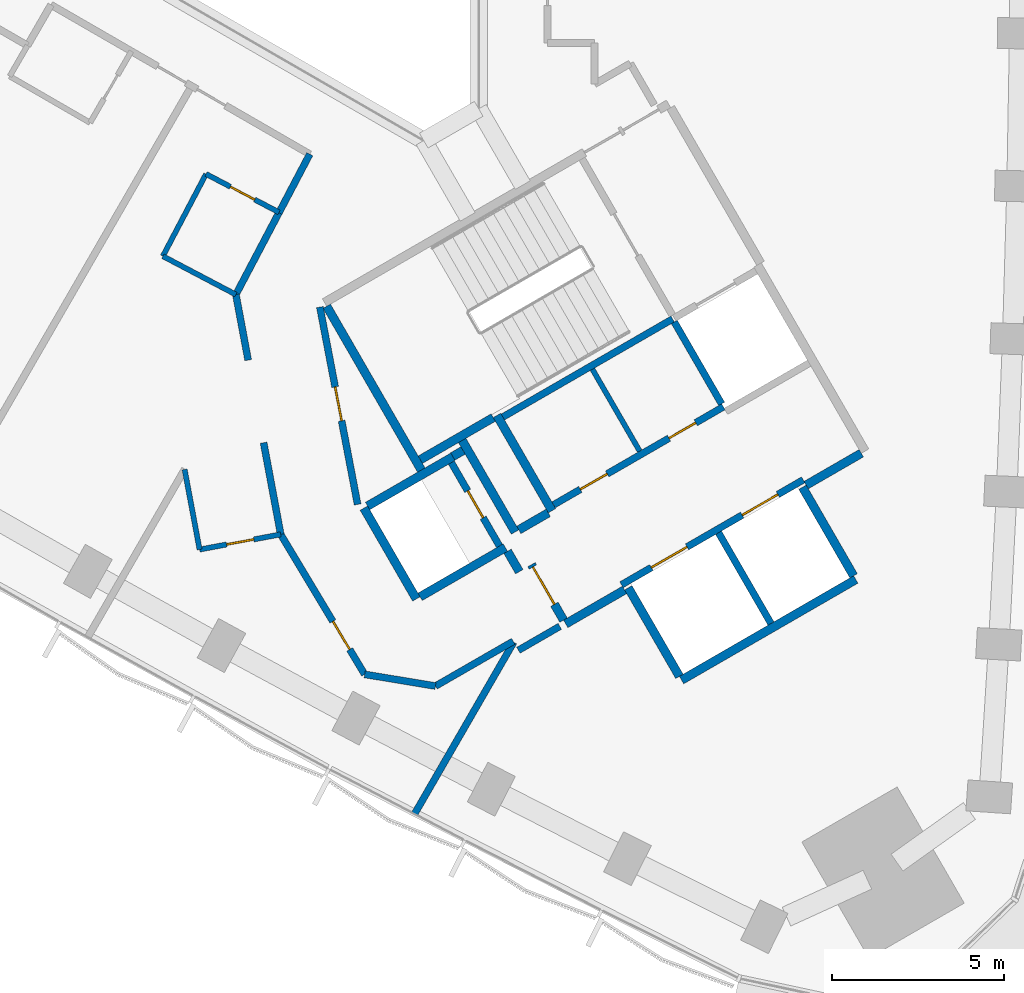
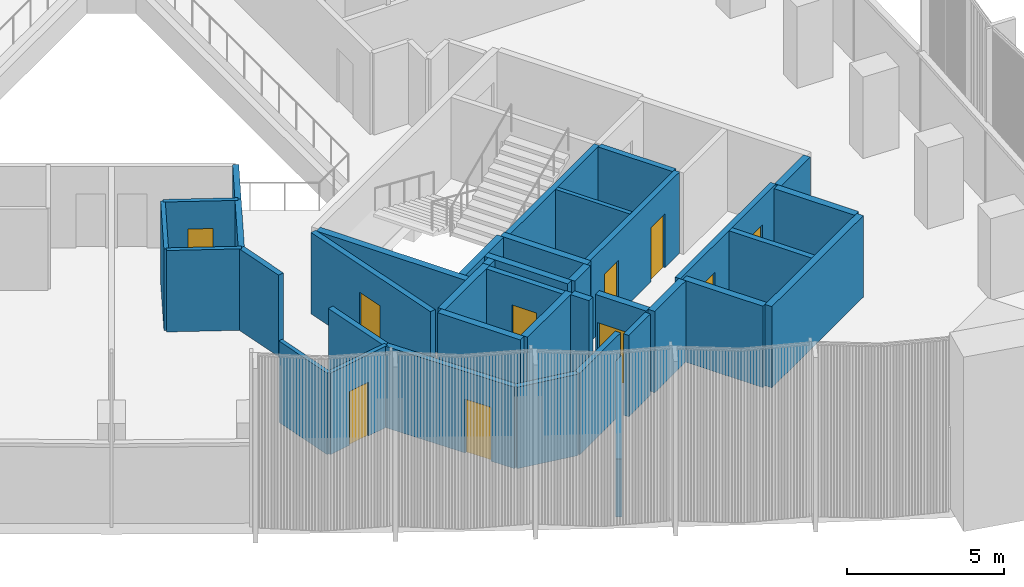
# One storey, part 8 of 15: 38 walls, 10 doors, 10 openings.
"""IFC4 building model written with IfcOpenShell, lengths in metres."""

from ifc_helpers import new_model, si_unit, direction, frame, frame_2d, origin, place, context, subcontext, project, spatial, rectangle, extrude, material, layer, layer_set, type_object, element, fill, save


model = new_model("IFC4")

# Units and contexts
model_context = context("Model", 3, precision=1e-05, world=origin(), true_north=direction((0.0, 1.0)))
body_context = subcontext(model_context, "Body", "Model", "MODEL_VIEW")
ifc_project = project(units=[si_unit("LENGTHUNIT", "METRE"), si_unit("AREAUNIT", "SQUARE_METRE"), si_unit("VOLUMEUNIT", "CUBIC_METRE"), si_unit("PLANEANGLEUNIT", "RADIAN"), si_unit("MASSUNIT", "GRAM", prefix="KILO")], contexts=[model_context])

# Site, building, storey
site_placement = place(None, origin())
site = spatial("IfcSite", under=ifc_project, at=site_placement, CompositionType="ELEMENT")
building_placement = place(site_placement, origin())
building = spatial("IfcBuilding", under=site, at=building_placement, Name="Tamra Quay Hotel Tower", CompositionType="ELEMENT")
storey_placement = place(building_placement, frame((0.0, 0.0, 111.800048828125)))
storey = spatial("IfcBuildingStorey", under=building, at=storey_placement, Name="L27", CompositionType="ELEMENT", Elevation=111.800048828125)

# Wall, openings, doors
ifc_material_1 = material(Name="Concrete M70", Category="concrete")
ifc_layer_1 = layer(ifc_material_1, 0.199951171875)
ifc_layer_set_1 = layer_set([ifc_layer_1], Name="Concrete M70 core wall 200")
wall_type_1 = type_object("IfcWallType", Name="Concrete M70 core wall 200", PredefinedType="SHEAR", material=ifc_layer_set_1)
wall_1_placement = place(storey_placement, frame((9.052490234375, -20.479736328125, 0.0), z_axis=(0.0, 0.0, 1.0), x_axis=(0.866030299012, 0.499991521122, 0.0)))
wall_1 = element("IfcWall", 1, at=wall_1_placement, inside=storey, type_object=wall_type_1, Name="CW2", PredefinedType="SHEAR", context=body_context, shape_type="SweptSolid", body=[
    extrude(rectangle(XDim=6.10009765625, YDim=0.199951171875, at=frame_2d((3.050048828125, 0.0))), origin(), (0.0, 0.0, 1.0), 3.175048828125),
])
opening_1_placement = place(wall_1_placement, frame((1.0, 0.0, 0.0)))
opening_1 = element("IfcOpeningElement", 2, at=opening_1_placement, cuts=wall_1, Name="Opening LD", PredefinedType="OPENING", context=body_context, shape_type="SweptSolid", body=[
    extrude(rectangle(XDim=1.199951171875, YDim=2.10009765625, at=frame_2d((0.60009765625, 1.050048828125))), frame((0.0, 0.10986328125, 0.0), z_axis=(0.0, -1.0, 0.0), x_axis=(1.0, 0.0, 0.0)), (0.0, 0.0, 1.0), 0.219970703125),
])
opening_2_placement = place(wall_1_placement, frame((4.05029296875, 0.0, 0.0)))
opening_2 = element("IfcOpeningElement", 3, at=opening_2_placement, cuts=wall_1, Name="Opening LD", PredefinedType="OPENING", context=body_context, shape_type="SweptSolid", body=[
    extrude(rectangle(XDim=1.199951171875, YDim=2.10009765625, at=frame_2d((0.60009765625, 1.050048828125))), frame((0.0, 0.10986328125, 0.0), z_axis=(0.0, -1.0, 0.0), x_axis=(1.0, 0.0, 0.0)), (0.0, 0.0, 1.0), 0.219970703125),
])
ifc_material_2 = material(Name="Landing door LD 1200 double door sliding")
door_type_1 = type_object("IfcDoorType", Name="Landing door LD 1200 double door sliding", OperationType="DOUBLE_DOOR_SLIDING", PredefinedType="DOOR", material=ifc_material_2)
door_1_placement = place(opening_1_placement, origin())
door_1 = element("IfcDoor", 4, at=door_1_placement, inside=storey, type_object=door_type_1, Name="LD", OperationType="DOUBLE_DOOR_SLIDING", OverallHeight=2.10009765625, OverallWidth=1.199951171875, PredefinedType="DOOR", context=body_context, shape_type="SweptSolid", body=[
    extrude(rectangle(XDim=1.199951171875, YDim=2.10009765625, at=frame_2d((0.60009765625, 1.050048828125))), frame((0.0, 0.02490234375, 0.0), z_axis=(0.0, -1.0, 0.0), x_axis=(1.0, 0.0, 0.0)), (0.0, 0.0, 1.0), 0.050048828125),
])
fill(opening_1, door_1)
door_2_placement = place(opening_2_placement, origin())
door_2 = element("IfcDoor", 5, at=door_2_placement, inside=storey, type_object=door_type_1, Name="LD", OperationType="DOUBLE_DOOR_SLIDING", OverallHeight=2.10009765625, OverallWidth=1.199951171875, PredefinedType="DOOR", context=body_context, shape_type="SweptSolid", body=[
    extrude(rectangle(XDim=1.199951171875, YDim=2.10009765625, at=frame_2d((0.60009765625, 1.050048828125))), frame((0.0, 0.02490234375, 0.0), z_axis=(0.0, -1.0, 0.0), x_axis=(1.0, 0.0, 0.0)), (0.0, 0.0, 1.0), 0.050048828125),
])
fill(opening_2, door_2)

# Wall
wall_2_placement = place(storey_placement, frame((10.537841796875, -12.751953125, 0.0), z_axis=(0.0, 0.0, 1.0), x_axis=(-0.866038630372, -0.499977090179, 0.0)))
element("IfcWall", 6, at=wall_2_placement, inside=storey, type_object=wall_type_1, Name="CW2", PredefinedType="SHEAR", context=body_context, shape_type="SweptSolid", body=[
    extrude(rectangle(XDim=5.698974609375, YDim=0.199951171875, at=frame_2d((2.849609375, 0.0))), origin(), (0.0, 0.0, 1.0), 3.175048828125),
])

# Wall, openings, doors
wall_3_placement = place(storey_placement, frame((7.0771484375, -18.156005859375, 0.0), z_axis=(0.0, 0.0, 1.0), x_axis=(0.866038630372, 0.499977090179, 0.0)))
wall_3 = element("IfcWall", 7, at=wall_3_placement, inside=storey, type_object=wall_type_1, Name="CW2", PredefinedType="SHEAR", context=body_context, shape_type="SweptSolid", body=[
    extrude(rectangle(XDim=5.698974609375, YDim=0.199951171875, at=frame_2d((2.849609375, 0.0))), origin(), (0.0, 0.0, 1.0), 3.175048828125),
])
opening_3_placement = place(wall_3_placement, frame((0.89892578125, 0.0, 0.0)))
opening_3 = element("IfcOpeningElement", 8, at=opening_3_placement, cuts=wall_3, Name="Opening D2", PredefinedType="OPENING", context=body_context, shape_type="SweptSolid", body=[
    extrude(rectangle(XDim=0.89990234375, YDim=2.10009765625, at=frame_2d((0.449951171875, 1.050048828125))), frame((0.0, 0.10986328125, 0.0), z_axis=(0.0, -1.0, 0.0), x_axis=(1.0, 0.0, 0.0)), (0.0, 0.0, 1.0), 0.219970703125),
])
opening_4_placement = place(wall_3_placement, frame((3.8740234375, 0.0, 0.0)))
opening_4 = element("IfcOpeningElement", 9, at=opening_4_placement, cuts=wall_3, Name="Opening D2", PredefinedType="OPENING", context=body_context, shape_type="SweptSolid", body=[
    extrude(rectangle(XDim=0.89990234375, YDim=2.10009765625, at=frame_2d((0.449951171875, 1.050048828125))), frame((0.0, 0.10986328125, 0.0), z_axis=(0.0, -1.0, 0.0), x_axis=(1.0, 0.0, 0.0)), (0.0, 0.0, 1.0), 0.219970703125),
])
ifc_material_3 = material(Name="Core door D2 900x2100 LH")
door_type_2 = type_object("IfcDoorType", Name="Core door D2 900x2100 LH", OperationType="NOTDEFINED", PredefinedType="DOOR", material=ifc_material_3)
door_3_placement = place(opening_4_placement, origin())
door_3 = element("IfcDoor", 10, at=door_3_placement, inside=storey, type_object=door_type_2, Name="D2", OperationType="SINGLE_SWING_LEFT", OverallHeight=2.10009765625, OverallWidth=0.89990234375, PredefinedType="DOOR", context=body_context, shape_type="SweptSolid", body=[
    extrude(rectangle(XDim=0.89990234375, YDim=2.10009765625, at=frame_2d((0.449951171875, 1.050048828125))), frame((0.0, 0.02490234375, 0.0), z_axis=(0.0, -1.0, 0.0), x_axis=(1.0, 0.0, 0.0)), (0.0, 0.0, 1.0), 0.050048828125),
])
fill(opening_4, door_3)
ifc_material_4 = material(Name="Core door D2 900x2100 RH")
door_type_3 = type_object("IfcDoorType", Name="Core door D2 900x2100 RH", OperationType="NOTDEFINED", PredefinedType="DOOR", material=ifc_material_4)
door_4_placement = place(opening_3_placement, origin())
door_4 = element("IfcDoor", 11, at=door_4_placement, inside=storey, type_object=door_type_3, Name="D2", OperationType="SINGLE_SWING_RIGHT", OverallHeight=2.10009765625, OverallWidth=0.89990234375, PredefinedType="DOOR", context=body_context, shape_type="SweptSolid", body=[
    extrude(rectangle(XDim=0.89990234375, YDim=2.10009765625, at=frame_2d((0.449951171875, 1.050048828125))), frame((0.0, 0.02490234375, 0.0), z_axis=(0.0, -1.0, 0.0), x_axis=(1.0, 0.0, 0.0)), (0.0, 0.0, 1.0), 0.050048828125),
])
fill(opening_3, door_4)

# Wall
wall_4_placement = place(storey_placement, frame((11.87451171875, -18.967041015625, 0.0), z_axis=(0.0, 0.0, 1.0), x_axis=(0.49998131003, -0.866036194175, 0.0)))
element("IfcWall", 12, at=wall_4_placement, inside=storey, type_object=wall_type_1, Name="CW2", PredefinedType="SHEAR", context=body_context, shape_type="SweptSolid", body=[
    extrude(rectangle(XDim=3.0478515625, YDim=0.199951171875, at=frame_2d((1.52392578125, 0.0))), origin(), (0.0, 0.0, 1.0), 3.175048828125),
])

# Wall, opening, door
wall_5_placement = place(storey_placement, frame((5.50341796875, -19.352294921875, 0.0), z_axis=(0.0, 0.0, 1.0), x_axis=(-0.499986818241, 0.866033014143, 0.0)))
wall_5 = element("IfcWall", 13, at=wall_5_placement, inside=storey, type_object=wall_type_1, Name="CW2", PredefinedType="SHEAR", context=body_context, shape_type="SweptSolid", body=[
    extrude(rectangle(XDim=2.7978515625, YDim=0.199951171875, at=frame_2d((1.39892578125, 0.0))), origin(), (0.0, 0.0, 1.0), 3.175048828125),
])
opening_5_placement = place(wall_5_placement, frame((0.948974609375, 0.0, 0.0)))
opening_5 = element("IfcOpeningElement", 14, at=opening_5_placement, cuts=wall_5, Name="Opening D1", PredefinedType="OPENING", context=body_context, shape_type="SweptSolid", body=[
    extrude(rectangle(XDim=0.89990234375, YDim=2.10009765625, at=frame_2d((0.449951171875, 1.050048828125))), frame((0.0, 0.10986328125, 0.0), z_axis=(0.0, -1.0, 0.0), x_axis=(1.0, 0.0, 0.0)), (0.0, 0.0, 1.0), 0.219970703125),
])
ifc_material_5 = material(Name="Core door D1 900x2100 RH")
door_type_4 = type_object("IfcDoorType", Name="Core door D1 900x2100 RH", OperationType="NOTDEFINED", PredefinedType="DOOR", material=ifc_material_5)
door_5_placement = place(opening_5_placement, origin())
door_5 = element("IfcDoor", 15, at=door_5_placement, inside=storey, type_object=door_type_4, Name="D1", OperationType="SINGLE_SWING_RIGHT", OverallHeight=2.10009765625, OverallWidth=0.89990234375, PredefinedType="DOOR", context=body_context, shape_type="SweptSolid", body=[
    extrude(rectangle(XDim=0.89990234375, YDim=2.10009765625, at=frame_2d((0.449951171875, 1.050048828125))), frame((0.0, 0.02490234375, 0.0), z_axis=(0.0, -1.0, 0.0), x_axis=(1.0, 0.0, 0.0)), (0.0, 0.0, 1.0), 0.050048828125),
])
fill(opening_5, door_5)

# Walls
wall_6_placement = place(storey_placement, frame((11.962646484375, -15.219970703125, 0.0), z_axis=(0.0, 0.0, 1.0), x_axis=(-0.500034990121, 0.866005201286, 0.0)))
element("IfcWall", 16, at=wall_6_placement, inside=storey, type_object=wall_type_1, Name="CW2", PredefinedType="SHEAR", context=body_context, shape_type="SweptSolid", body=[
    extrude(rectangle(XDim=2.749755859375, YDim=0.199951171875, at=frame_2d((1.375, 0.0))), origin(), (0.0, 0.0, 1.0), 3.175048828125),
])
ifc_layer_2 = layer(ifc_material_1, 0.25)
ifc_layer_set_2 = layer_set([ifc_layer_2], Name="Concrete M70 core wall 250")
wall_type_2 = type_object("IfcWallType", Name="Concrete M70 core wall 250", PredefinedType="SHEAR", material=ifc_layer_set_2)
wall_7_placement = place(storey_placement, frame((15.86474609375, -20.328369140625, 0.0), z_axis=(0.0, 0.0, 1.0), x_axis=(-0.86602852612, -0.499994591916, 0.0)))
element("IfcWall", 17, at=wall_7_placement, inside=storey, type_object=wall_type_2, Name="CW1", PredefinedType="SHEAR", context=body_context, shape_type="SweptSolid", body=[
    extrude(rectangle(XDim=5.85009765625, YDim=0.25, at=frame_2d((2.925048828125, 0.0))), origin(), (0.0, 0.0, 1.0), 3.175048828125),
])
wall_8_placement = place(storey_placement, frame((3.23486328125, -17.15283203125, 0.0), z_axis=(0.0, 0.0, 1.0), x_axis=(-0.500008851346, 0.866020293397, 0.0)))
element("IfcWall", 18, at=wall_8_placement, inside=storey, type_object=wall_type_2, Name="CW1", PredefinedType="SHEAR", context=body_context, shape_type="SweptSolid", body=[
    extrude(rectangle(XDim=5.509765625, YDim=0.25, at=frame_2d((2.7548828125, 0.0))), origin(), (0.0, 0.0, 1.0), 3.175048828125),
])
wall_9_placement = place(storey_placement, frame((7.030517578125, -18.327392578125, 0.0), z_axis=(0.0, 0.0, 1.0), x_axis=(-0.499971222258, 0.866042017984, 0.0)))
element("IfcWall", 19, at=wall_9_placement, inside=storey, type_object=wall_type_2, Name="CW1", PredefinedType="SHEAR", context=body_context, shape_type="SweptSolid", body=[
    extrude(rectangle(XDim=3.199951171875, YDim=0.25, at=frame_2d((1.60009765625, 0.0))), origin(), (0.0, 0.0, 1.0), 3.175048828125),
])
for number, where, z_axis, x_axis, name in (
    (20, (14.314697265625, -17.643798828125, 0.0), (0.0, 0.0, 1.0), (0.500023226632, -0.866011993467, 0.0), "CW1"),
    (21, (10.73583984375, -23.144775390625, 0.0), (0.0, 0.0, 1.0), (-0.500023226632, 0.866011993467, 0.0), "CW1"),
):
    element("IfcWall", number, at=place(storey_placement, frame(where, z_axis=z_axis, x_axis=x_axis)), inside=storey, type_object=wall_type_2, Name=name, PredefinedType="SHEAR", context=body_context, shape_type="SweptSolid", body=[
        extrude(rectangle(XDim=2.974365234375, YDim=0.25, at=frame_2d((1.4873046875, 0.0))), origin(), (0.0, 0.0, 1.0), 3.175048828125),
    ])
wall_10_placement = place(storey_placement, frame((3.085205078125, -20.893798828125, 0.0), z_axis=(0.0, 0.0, 1.0), x_axis=(-0.499978833458, 0.866037623948, 0.0)))
element("IfcWall", 22, at=wall_10_placement, inside=storey, type_object=wall_type_2, Name="CW1", PredefinedType="SHEAR", context=body_context, shape_type="SweptSolid", body=[
    extrude(rectangle(XDim=3.050048828125, YDim=0.25, at=frame_2d((1.52490234375, 0.0))), origin(), (0.0, 0.0, 1.0), 3.175048828125),
])
wall_11_placement = place(storey_placement, frame((1.6689453125, -18.189697265625, 0.0), z_axis=(0.0, 0.0, 1.0), x_axis=(0.866042235819, 0.499970844928, 0.0)))
element("IfcWall", 23, at=wall_11_placement, inside=storey, type_object=wall_type_2, Name="CW1", PredefinedType="SHEAR", context=body_context, shape_type="SweptSolid", body=[
    extrude(rectangle(XDim=2.864501953125, YDim=0.25, at=frame_2d((1.43212890625, 0.0))), origin(), (0.0, 0.0, 1.0), 3.175048828125),
])
wall_12_placement = place(storey_placement, frame((5.6748046875, -19.39892578125, 0.0), z_axis=(0.0, 0.0, 1.0), x_axis=(-0.866026637627, -0.499997862916, 0.0)))
element("IfcWall", 24, at=wall_12_placement, inside=storey, type_object=wall_type_2, Name="CW1", PredefinedType="SHEAR", context=body_context, shape_type="SweptSolid", body=[
    extrude(rectangle(XDim=2.86474609375, YDim=0.25, at=frame_2d((1.432373046875, 0.0))), origin(), (0.0, 0.0, 1.0), 3.175048828125),
])
wall_13_placement = place(storey_placement, frame((4.414306640625, -16.275634765625, 0.0), z_axis=(0.0, 0.0, 1.0), x_axis=(0.500003324108, -0.866023484601, 0.0)))
element("IfcWall", 25, at=wall_13_placement, inside=storey, type_object=wall_type_2, Name="CW1", PredefinedType="SHEAR", context=body_context, shape_type="SweptSolid", body=[
    extrude(rectangle(XDim=3.0849609375, YDim=0.25, at=frame_2d((1.54248046875, 0.0))), origin(), (0.0, 0.0, 1.0), 3.175048828125),
])
wall_14_placement = place(storey_placement, frame((5.322021484375, -15.618896484375, 0.0), z_axis=(0.0, 0.0, 1.0), x_axis=(-0.866026229868, -0.499998569178, 0.0)))
element("IfcWall", 26, at=wall_14_placement, inside=storey, type_object=wall_type_2, Name="CW1", PredefinedType="SHEAR", context=body_context, shape_type="SweptSolid", body=[
    extrude(rectangle(XDim=2.44921875, YDim=0.25, at=frame_2d((1.224609375, 0.0))), origin(), (0.0, 0.0, 1.0), 3.175048828125),
])
wall_15_placement = place(storey_placement, frame((9.139892578125, -20.63134765625, 0.0), z_axis=(0.0, 0.0, 1.0), x_axis=(-0.866043531843, -0.499968599967, 0.0)))
element("IfcWall", 27, at=wall_15_placement, inside=storey, type_object=wall_type_2, Name="CW1", PredefinedType="SHEAR", context=body_context, shape_type="SweptSolid", body=[
    extrude(rectangle(XDim=1.974853515625, YDim=0.25, at=frame_2d((0.9873046875, 0.0))), origin(), (0.0, 0.0, 1.0), 3.175048828125),
])
wall_16_placement = place(storey_placement, frame((16.024658203125, -16.656494140625, 0.0), z_axis=(0.0, 0.0, 1.0), x_axis=(-0.866016279763, -0.500015802937, 0.0)))
element("IfcWall", 28, at=wall_16_placement, inside=storey, type_object=wall_type_2, Name="CW1", PredefinedType="SHEAR", context=body_context, shape_type="SweptSolid", body=[
    extrude(rectangle(XDim=1.84912109375, YDim=0.25, at=frame_2d((0.924560546875, 0.0))), origin(), (0.0, 0.0, 1.0), 3.175048828125),
])

# Wall, opening, door
wall_17_placement = place(storey_placement, frame((7.3671875, -21.51025390625, 0.0), z_axis=(0.0, 0.0, 1.0), x_axis=(-0.499983108224, 0.866035156036, 0.0)))
wall_17 = element("IfcWall", 29, at=wall_17_placement, inside=storey, type_object=wall_type_2, Name="CW1", PredefinedType="SHEAR", context=body_context, shape_type="SweptSolid", body=[
    extrude(rectangle(XDim=1.86474609375, YDim=0.25, at=frame_2d((0.932373046875, 0.0))), origin(), (0.0, 0.0, 1.0), 3.175048828125),
])
opening_6_placement = place(wall_17_placement, frame((0.53466796875, 0.0, 0.0)))
opening_6 = element("IfcOpeningElement", 30, at=opening_6_placement, cuts=wall_17, Name="Opening FD3", PredefinedType="OPENING", context=body_context, shape_type="SweptSolid", body=[
    extrude(rectangle(XDim=1.25, YDim=2.10009765625, at=frame_2d((0.625, 1.050048828125))), frame((0.0, 0.135009765625, 0.0), z_axis=(0.0, -1.0, 0.0), x_axis=(1.0, 0.0, 0.0)), (0.0, 0.0, 1.0), 0.27001953125),
])
ifc_material_6 = material(Name="Core door FD3 1250x2100 LH")
door_type_5 = type_object("IfcDoorType", Name="Core door FD3 1250x2100 LH", OperationType="NOTDEFINED", PredefinedType="DOOR", material=ifc_material_6)
door_6_placement = place(opening_6_placement, origin())
door_6 = element("IfcDoor", 31, at=door_6_placement, inside=storey, type_object=door_type_5, Name="FD3", OperationType="SINGLE_SWING_LEFT", OverallHeight=2.10009765625, OverallWidth=1.25, PredefinedType="DOOR", context=body_context, shape_type="SweptSolid", body=[
    extrude(rectangle(XDim=1.25, YDim=2.10009765625, at=frame_2d((0.625, 1.050048828125))), frame((0.0, 0.02490234375, 0.0), z_axis=(0.0, -1.0, 0.0), x_axis=(1.0, 0.0, 0.0)), (0.0, 0.0, 1.0), 0.050048828125),
])
fill(opening_6, door_6)

# Walls
wall_18_placement = place(storey_placement, frame((6.0654296875, -18.884765625, 0.0), z_axis=(0.0, 0.0, 1.0), x_axis=(0.866017078145, 0.500014420154, 0.0)))
element("IfcWall", 32, at=wall_18_placement, inside=storey, type_object=wall_type_2, Name="CW1", PredefinedType="SHEAR", context=body_context, shape_type="SweptSolid", body=[
    extrude(rectangle(XDim=0.9892578125, YDim=0.25, at=frame_2d((0.49462890625, 0.0))), origin(), (0.0, 0.0, 1.0), 3.175048828125),
])
wall_19_placement = place(storey_placement, frame((6.07958984375, -20.100341796875, 0.0), z_axis=(0.0, 0.0, 1.0), x_axis=(-0.500051773299, 0.865995510393, 0.0)))
element("IfcWall", 33, at=wall_19_placement, inside=storey, type_object=wall_type_2, Name="CW1", PredefinedType="SHEAR", context=body_context, shape_type="SweptSolid", body=[
    extrude(rectangle(XDim=0.6845703125, YDim=0.25, at=frame_2d((0.34228515625, 0.0))), origin(), (0.0, 0.0, 1.0), 3.175048828125),
])
wall_20_placement = place(storey_placement, frame((4.144775390625, -16.748779296875, 0.0), z_axis=(0.0, 0.0, 1.0), x_axis=(0.866185586049, 0.49972245349, 0.0)))
element("IfcWall", 34, at=wall_20_placement, inside=storey, type_object=wall_type_2, Name="CW1", PredefinedType="SHEAR", context=body_context, shape_type="SweptSolid", body=[
    extrude(rectangle(XDim=0.344482421875, YDim=0.25, at=frame_2d((0.17236328125, 0.0))), origin(), (0.0, 0.0, 1.0), 3.175048828125),
])
ifc_material_7 = material(Name="Blockwork", Category="masonry")
ifc_layer_3 = layer(ifc_material_7, 0.14990234375)
ifc_layer_set_3 = layer_set([ifc_layer_3], Name="Core partition block 150")
wall_type_3 = type_object("IfcWallType", Name="Core partition block 150", PredefinedType="PARTITIONING", material=ifc_layer_set_3)
wall_21_placement = place(storey_placement, frame((8.20654296875, -14.214111328125, 0.0), z_axis=(0.0, 0.0, 1.0), x_axis=(0.50002746344, -0.86600954718, 0.0)))
element("IfcWall", 35, at=wall_21_placement, inside=storey, type_object=wall_type_3, Name="CP1", PredefinedType="PARTITIONING", context=body_context, shape_type="SweptSolid", body=[
    extrude(rectangle(XDim=2.748291015625, YDim=0.14990234375, at=frame_2d((1.3740234375, 0.0))), origin(), (0.0, 0.0, 1.0), 3.175048828125),
])
ifc_material_8 = material(Name="Partition corridor wall")
ifc_layer_4 = layer(ifc_material_8, 0.199951171875)
ifc_layer_set_4 = layer_set([ifc_layer_4], Name="Partition corridor wall")
wall_type_4 = type_object("IfcWallType", Name="Partition corridor wall", PredefinedType="PARTITIONING", material=ifc_layer_set_4)
wall_22_placement = place(storey_placement, frame((-2.162109375, -12.0419921875, 0.0), z_axis=(0.0, 0.0, 1.0), x_axis=(0.184098589938, -0.982907782644, 0.0)))
element("IfcWall", 36, at=wall_22_placement, inside=storey, type_object=wall_type_4, Name="W-C", PredefinedType="PARTITIONING", context=body_context, shape_type="SweptSolid", body=[
    extrude(rectangle(XDim=1.940185546875, YDim=0.199951171875, at=frame_2d((0.97021484375, 0.0))), origin(), (0.0, 0.0, 1.0), 3.175048828125),
])
wall_23_placement = place(storey_placement, frame((-2.162109375, -12.041015625, 0.0), z_axis=(0.0, 0.0, 1.0), x_axis=(0.465768693846, 0.884906505702, 0.0)))
element("IfcWall", 37, at=wall_23_placement, inside=storey, type_object=wall_type_4, Name="W-C", PredefinedType="PARTITIONING", context=body_context, shape_type="SweptSolid", body=[
    extrude(rectangle(XDim=2.712158203125, YDim=0.199951171875, at=frame_2d((1.35595703125, 0.0))), origin(), (0.0, 0.0, 1.0), 3.175048828125),
])
wall_24_placement = place(storey_placement, frame((-1.35595703125, -16.34912109375, 0.0), z_axis=(0.0, 0.0, 1.0), x_axis=(0.183652540949, -0.982991222852, 0.0)))
element("IfcWall", 38, at=wall_24_placement, inside=storey, type_object=wall_type_4, Name="W-C", PredefinedType="PARTITIONING", context=body_context, shape_type="SweptSolid", body=[
    extrude(rectangle(XDim=2.7119140625, YDim=0.199951171875, at=frame_2d((1.35595703125, 0.0))), origin(), (0.0, 0.0, 1.0), 3.175048828125),
])
wall_25_placement = place(storey_placement, frame((-0.909912109375, -9.6630859375, 0.0), z_axis=(0.0, 0.0, 1.0), x_axis=(0.465380551605, 0.885110694878, 0.0)))
element("IfcWall", 39, at=wall_25_placement, inside=storey, type_object=wall_type_4, Name="W-C", PredefinedType="PARTITIONING", context=body_context, shape_type="SweptSolid", body=[
    extrude(rectangle(XDim=1.92529296875, YDim=0.199951171875, at=frame_2d((0.962646484375, 0.0))), origin(), (0.0, 0.0, 1.0), 3.175048828125),
])

# Wall, opening, door
wall_26_placement = place(storey_placement, frame((-0.85791015625, -19.01708984375, 0.0), z_axis=(0.0, 0.0, 1.0), x_axis=(0.514586543775, -0.857438446167, 0.0)))
wall_26 = element("IfcWall", 40, at=wall_26_placement, inside=storey, type_object=wall_type_4, Name="W-C", PredefinedType="PARTITIONING", context=body_context, shape_type="SweptSolid", body=[
    extrude(rectangle(XDim=4.745361328125, YDim=0.199951171875, at=frame_2d((2.37255859375, 0.0))), origin(), (0.0, 0.0, 1.0), 3.175048828125),
])
opening_7_placement = place(wall_26_placement, frame((2.949951171875, 0.0, 0.0)))
opening_7 = element("IfcOpeningElement", 41, at=opening_7_placement, cuts=wall_26, Name="Opening L27-D017", PredefinedType="OPENING", context=body_context, shape_type="SweptSolid", body=[
    extrude(rectangle(XDim=0.949951171875, YDim=2.10009765625, at=frame_2d((0.47509765625, 1.050048828125))), frame((0.0, 0.10986328125, 0.0), z_axis=(0.0, -1.0, 0.0), x_axis=(1.0, 0.0, 0.0)), (0.0, 0.0, 1.0), 0.219970703125),
])
ifc_material_9 = material(Name="Door guest room 950x2100")
door_type_6 = type_object("IfcDoorType", Name="Door guest room 950x2100", OperationType="NOTDEFINED", PredefinedType="DOOR", material=ifc_material_9)
door_7_placement = place(opening_7_placement, frame((0.949951171875, 0.0, 0.0), z_axis=(0.0, 0.0, 1.0), x_axis=(-1.0, 0.0, 0.0)))
door_7 = element("IfcDoor", 42, at=door_7_placement, inside=storey, type_object=door_type_6, Name="L27-D017", OperationType="SINGLE_SWING_LEFT", OverallHeight=2.10009765625, OverallWidth=0.949951171875, PredefinedType="DOOR", context=body_context, shape_type="SweptSolid", body=[
    extrude(rectangle(XDim=0.949951171875, YDim=2.10009765625, at=frame_2d((0.47509765625, 1.050048828125))), frame((0.0, 0.02490234375, 0.0), z_axis=(0.0, -1.0, 0.0), x_axis=(1.0, 0.0, 0.0)), (0.0, 0.0, 1.0), 0.050048828125),
])
fill(opening_7, door_7)

wall_27_placement = place(storey_placement, frame((0.28076171875, -12.40625, 0.0), z_axis=(0.0, 0.0, 1.0), x_axis=(0.187814940093, -0.982204433037, 0.0)))
wall_27 = element("IfcWall", 43, at=wall_27_placement, inside=storey, type_object=wall_type_4, Name="W-C", PredefinedType="PARTITIONING", context=body_context, shape_type="SweptSolid", body=[
    extrude(rectangle(XDim=5.841796875, YDim=0.199951171875, at=frame_2d((2.9208984375, 0.0))), origin(), (0.0, 0.0, 1.0), 3.175048828125),
])
opening_8_placement = place(wall_27_placement, frame((2.36328125, 0.0, 0.0)))
opening_8 = element("IfcOpeningElement", 44, at=opening_8_placement, cuts=wall_27, Name="Opening L27-D016", PredefinedType="OPENING", context=body_context, shape_type="SweptSolid", body=[
    extrude(rectangle(XDim=1.0, YDim=2.10009765625, at=frame_2d((0.5, 1.050048828125))), frame((0.0, 0.10986328125, 0.0), z_axis=(0.0, -1.0, 0.0), x_axis=(1.0, 0.0, 0.0)), (0.0, 0.0, 1.0), 0.219970703125),
])
ifc_material_10 = material(Name="Door guest room 1000x2100")
door_type_7 = type_object("IfcDoorType", Name="Door guest room 1000x2100", OperationType="NOTDEFINED", PredefinedType="DOOR", material=ifc_material_10)
door_8_placement = place(opening_8_placement, origin())
door_8 = element("IfcDoor", 45, at=door_8_placement, inside=storey, type_object=door_type_7, Name="L27-D016", OperationType="SINGLE_SWING_LEFT", OverallHeight=2.10009765625, OverallWidth=1.0, PredefinedType="DOOR", context=body_context, shape_type="SweptSolid", body=[
    extrude(rectangle(XDim=1.0, YDim=2.10009765625, at=frame_2d((0.5, 1.050048828125))), frame((0.0, 0.02490234375, 0.0), z_axis=(0.0, -1.0, 0.0), x_axis=(1.0, 0.0, 0.0)), (0.0, 0.0, 1.0), 0.050048828125),
])
fill(opening_8, door_8)

# Walls
wall_28_placement = place(storey_placement, frame((1.583984375, -23.0859375, 0.0), z_axis=(0.0, 0.0, 1.0), x_axis=(0.986633159246, -0.162957077405, 0.0)))
element("IfcWall", 46, at=wall_28_placement, inside=storey, type_object=wall_type_4, Name="W-C", PredefinedType="PARTITIONING", context=body_context, shape_type="SweptSolid", body=[
    extrude(rectangle(XDim=2.0869140625, YDim=0.199951171875, at=frame_2d((1.04345703125, 0.0))), origin(), (0.0, 0.0, 1.0), 3.175048828125),
])
wall_29_placement = place(storey_placement, frame((3.64306640625, -23.426025390625, 0.0), z_axis=(0.0, 0.0, 1.0), x_axis=(0.866654350985, 0.498909045738, 0.0)))
element("IfcWall", 47, at=wall_29_placement, inside=storey, type_object=wall_type_4, Name="W-C", PredefinedType="PARTITIONING", context=body_context, shape_type="SweptSolid", body=[
    extrude(rectangle(XDim=2.607666015625, YDim=0.199951171875, at=frame_2d((1.3037109375, 0.0))), origin(), (0.0, 0.0, 1.0), 3.175048828125),
])
wall_30_placement = place(storey_placement, frame((6.053955078125, -22.385009765625, 0.0), z_axis=(0.0, 0.0, 1.0), x_axis=(0.86593101922, 0.500163443238, 0.0)))
element("IfcWall", 48, at=wall_30_placement, inside=storey, type_object=wall_type_4, Name="W-C", PredefinedType="PARTITIONING", context=body_context, shape_type="SweptSolid", body=[
    extrude(rectangle(XDim=1.3896484375, YDim=0.199951171875, at=frame_2d((0.69482421875, 0.0))), origin(), (0.0, 0.0, 1.0), 3.175048828125),
])
ifc_material_11 = material(Name="Partition en-suite wall")
ifc_layer_5 = layer(ifc_material_11, 0.14990234375)
ifc_layer_set_5 = layer_set([ifc_layer_5], Name="Partition en-suite wall")
wall_type_5 = type_object("IfcWallType", Name="Partition en-suite wall", PredefinedType="PARTITIONING", material=ifc_layer_set_5)
wall_31_placement = place(storey_placement, frame((-4.285888671875, -10.925048828125, 0.0), z_axis=(0.0, 0.0, 1.0), x_axis=(0.465418501586, 0.885090740196, 0.0)))
element("IfcWall", 49, at=wall_31_placement, inside=storey, type_object=wall_type_5, Name="W-E", PredefinedType="PARTITIONING", context=body_context, shape_type="SweptSolid", body=[
    extrude(rectangle(XDim=2.700439453125, YDim=0.14990234375, at=frame_2d((1.35009765625, 0.0))), origin(), (0.0, 0.0, 1.0), 3.175048828125),
])
wall_32_placement = place(storey_placement, frame((-4.285888671875, -10.925048828125, 0.0), z_axis=(0.0, 0.0, 1.0), x_axis=(0.885061635711, -0.465473845658, 0.0)))
element("IfcWall", 50, at=wall_32_placement, inside=storey, type_object=wall_type_5, Name="W-E", PredefinedType="PARTITIONING", context=body_context, shape_type="SweptSolid", body=[
    extrude(rectangle(XDim=2.399658203125, YDim=0.14990234375, at=frame_2d((1.19970703125, 0.0))), origin(), (0.0, 0.0, 1.0), 3.175048828125),
])
wall_33_placement = place(storey_placement, frame((-3.653076171875, -17.126953125, 0.0), z_axis=(0.0, 0.0, 1.0), x_axis=(0.184014813208, -0.982923470327, 0.0)))
element("IfcWall", 51, at=wall_33_placement, inside=storey, type_object=wall_type_5, Name="W-E", PredefinedType="PARTITIONING", context=body_context, shape_type="SweptSolid", body=[
    extrude(rectangle(XDim=2.36962890625, YDim=0.14990234375, at=frame_2d((1.184814453125, 0.0))), origin(), (0.0, 0.0, 1.0), 3.175048828125),
])

# Wall, opening, door
wall_34_placement = place(storey_placement, frame((-3.217041015625, -19.4560546875, 0.0), z_axis=(0.0, 0.0, 1.0), x_axis=(0.982960745934, 0.183815592249, 0.0)))
wall_34 = element("IfcWall", 52, at=wall_34_placement, inside=storey, type_object=wall_type_5, Name="W-E", PredefinedType="PARTITIONING", context=body_context, shape_type="SweptSolid", body=[
    extrude(rectangle(XDim=2.400146484375, YDim=0.14990234375, at=frame_2d((1.2001953125, 0.0))), origin(), (0.0, 0.0, 1.0), 3.175048828125),
])
opening_9_placement = place(wall_34_placement, frame((0.7998046875, 0.0, 0.0)))
opening_9 = element("IfcOpeningElement", 53, at=opening_9_placement, cuts=wall_34, Name="Opening L27-D018", PredefinedType="OPENING", context=body_context, shape_type="SweptSolid", body=[
    extrude(rectangle(XDim=0.800048828125, YDim=2.10009765625, at=frame_2d((0.39990234375, 1.050048828125))), frame((0.0, 0.0849609375, 0.0), z_axis=(0.0, -1.0, 0.0), x_axis=(1.0, 0.0, 0.0)), (0.0, 0.0, 1.0), 0.169921875),
])
ifc_material_12 = material(Name="Door en-suite 800x2100")
door_type_8 = type_object("IfcDoorType", Name="Door en-suite 800x2100", OperationType="NOTDEFINED", PredefinedType="DOOR", material=ifc_material_12)
door_9_placement = place(opening_9_placement, frame((0.800048828125, 0.0, 0.0), z_axis=(0.0, 0.0, 1.0), x_axis=(-1.0, 0.0, 0.0)))
door_9 = element("IfcDoor", 54, at=door_9_placement, inside=storey, type_object=door_type_8, Name="L27-D018", OperationType="SINGLE_SWING_LEFT", OverallHeight=2.10009765625, OverallWidth=0.800048828125, PredefinedType="DOOR", context=body_context, shape_type="SweptSolid", body=[
    extrude(rectangle(XDim=0.800048828125, YDim=2.10009765625, at=frame_2d((0.39990234375, 1.050048828125))), frame((0.0, 0.02490234375, 0.0), z_axis=(0.0, -1.0, 0.0), x_axis=(1.0, 0.0, 0.0)), (0.0, 0.0, 1.0), 0.050048828125),
])
fill(opening_9, door_9)

wall_35_placement = place(storey_placement, frame((-3.029052734375, -8.534912109375, 0.0), z_axis=(0.0, 0.0, 1.0), x_axis=(0.885041766517, -0.4655116234, 0.0)))
wall_35 = element("IfcWall", 55, at=wall_35_placement, inside=storey, type_object=wall_type_5, Name="W-E", PredefinedType="PARTITIONING", context=body_context, shape_type="SweptSolid", body=[
    extrude(rectangle(XDim=2.39990234375, YDim=0.14990234375, at=frame_2d((1.199951171875, 0.0))), origin(), (0.0, 0.0, 1.0), 3.175048828125),
])
opening_10_placement = place(wall_35_placement, frame((0.800048828125, 0.0, 0.0)))
opening_10 = element("IfcOpeningElement", 56, at=opening_10_placement, cuts=wall_35, Name="Opening L27-D015", PredefinedType="OPENING", context=body_context, shape_type="SweptSolid", body=[
    extrude(rectangle(XDim=0.800048828125, YDim=2.10009765625, at=frame_2d((0.39990234375, 1.050048828125))), frame((0.0, 0.0849609375, 0.0), z_axis=(0.0, -1.0, 0.0), x_axis=(1.0, 0.0, 0.0)), (0.0, 0.0, 1.0), 0.169921875),
])
door_10_placement = place(opening_10_placement, frame((0.800048828125, 0.0, 0.0), z_axis=(0.0, 0.0, 1.0), x_axis=(-1.0, 0.0, 0.0)))
door_10 = element("IfcDoor", 57, at=door_10_placement, inside=storey, type_object=door_type_8, Name="L27-D015", OperationType="SINGLE_SWING_LEFT", OverallHeight=2.10009765625, OverallWidth=0.800048828125, PredefinedType="DOOR", context=body_context, shape_type="SweptSolid", body=[
    extrude(rectangle(XDim=0.800048828125, YDim=2.10009765625, at=frame_2d((0.39990234375, 1.050048828125))), frame((0.0, 0.02490234375, 0.0), z_axis=(0.0, -1.0, 0.0), x_axis=(1.0, 0.0, 0.0)), (0.0, 0.0, 1.0), 0.050048828125),
])
fill(opening_10, door_10)

# Wall
ifc_material_13 = material(Name="Partition party wall")
ifc_layer_6 = layer(ifc_material_13, 0.199951171875)
ifc_layer_set_6 = layer_set([ifc_layer_6], Name="Partition party wall")
wall_type_6 = type_object("IfcWallType", Name="Partition party wall", PredefinedType="PARTITIONING", material=ifc_layer_set_6)
wall_36_placement = place(storey_placement, frame((3.03662109375, -27.140625, 0.0), z_axis=(0.0, 0.0, 1.0), x_axis=(0.499940097468, 0.866059985765, 0.0)))
element("IfcWall", 58, at=wall_36_placement, inside=storey, type_object=wall_type_6, Name="W-P", PredefinedType="PARTITIONING", context=body_context, shape_type="SweptSolid", body=[
    extrude(rectangle(XDim=5.761474609375, YDim=0.199951171875, at=frame_2d((2.880859375, 0.0))), origin(), (0.0, 0.0, 1.0), 2.27490234375),
])

save(model, "model.ifc")
